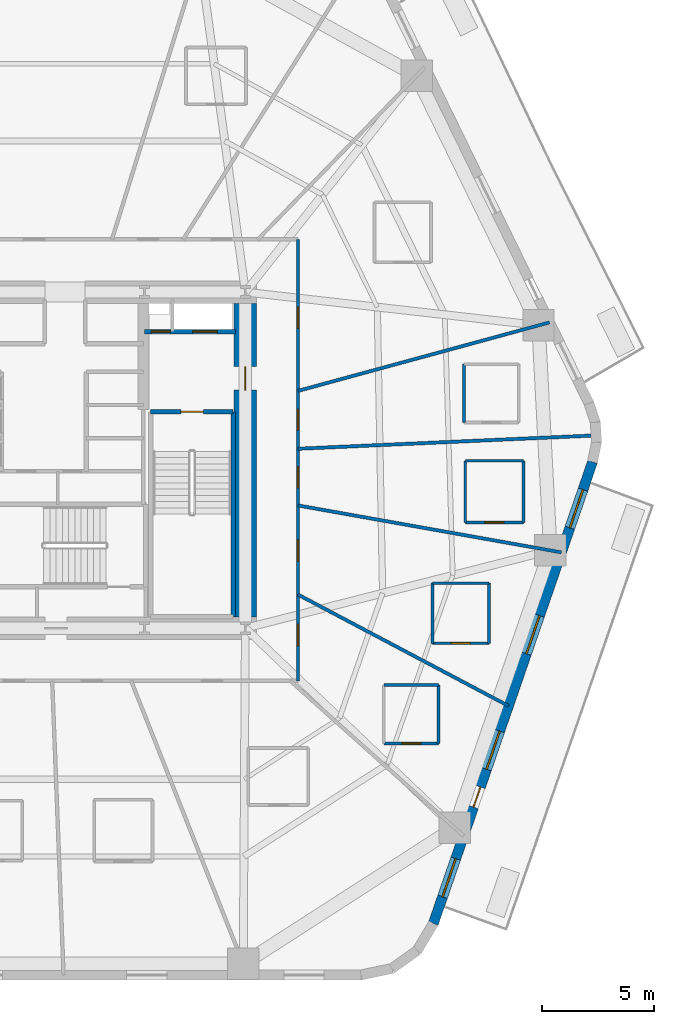
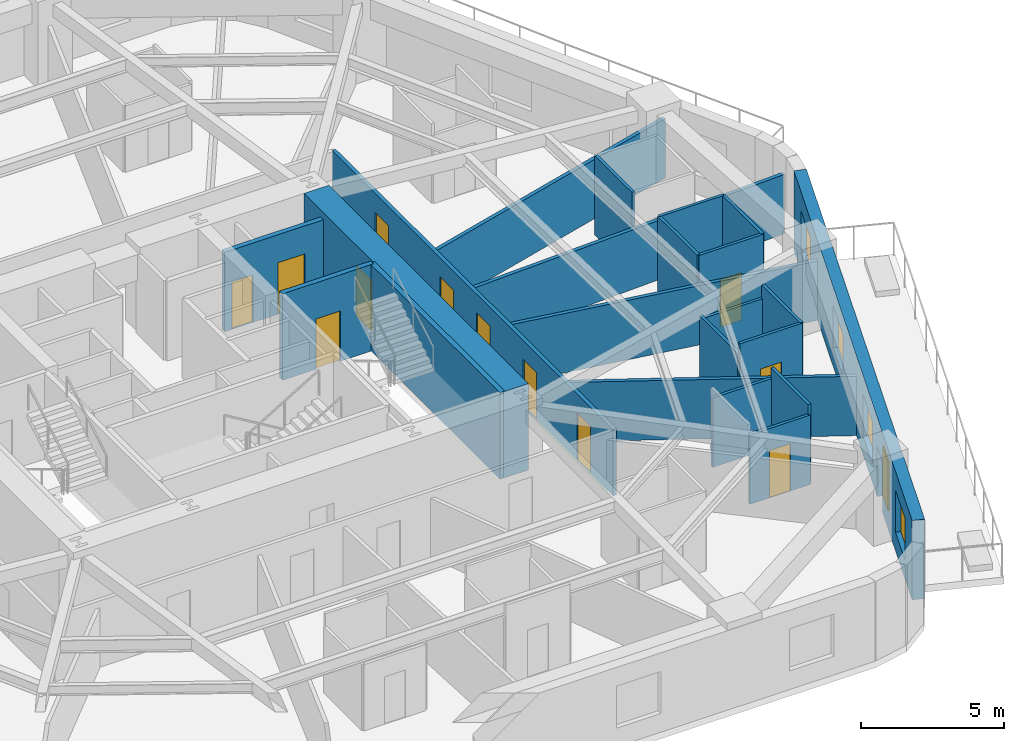
# One storey, part 5 of 10: 22 walls, 13 doors, 4 windows, 17 openings.
"""IFC4 building model written with IfcOpenShell, lengths in metres."""

from ifc_helpers import new_model, si_unit, direction, frame, frame_2d, origin, place, context, subcontext, project, spatial, rectangle, extrude, material, layer, layer_set, type_object, element, fill, save


model = new_model("IFC4")

# Units and contexts
model_context = context("Model", 3, precision=1e-05, world=origin(), true_north=direction((0.0, 1.0)))
body_context = subcontext(model_context, "Body", "Model", "MODEL_VIEW")
ifc_project = project(units=[si_unit("LENGTHUNIT", "METRE"), si_unit("AREAUNIT", "SQUARE_METRE"), si_unit("VOLUMEUNIT", "CUBIC_METRE"), si_unit("PLANEANGLEUNIT", "RADIAN"), si_unit("MASSUNIT", "GRAM", prefix="KILO")], contexts=[model_context])

# Site, building, storey
site_placement = place(None, origin())
site = spatial("IfcSite", under=ifc_project, at=site_placement, CompositionType="ELEMENT")
building_placement = place(site_placement, origin())
building = spatial("IfcBuilding", under=site, at=building_placement, Name="Kilnhurst Terrace Hotel", CompositionType="ELEMENT")
storey_placement = place(building_placement, frame((0.0, 0.0, 49.0)))
storey = spatial("IfcBuildingStorey", under=building, at=storey_placement, Name="L10", CompositionType="ELEMENT", Elevation=49.0)

# Wall, openings, door, windows
ifc_material_1 = material(Name="Precast concrete C40/50", Category="concrete")
ifc_layer_1 = layer(ifc_material_1, 0.449951171875, Name="Precast concrete C40/50")
ifc_layer_set_1 = layer_set([ifc_layer_1], Name="Precast concrete C40/50")
wall_type_1 = type_object("IfcWallType", Name="WL-BRK-450", PredefinedType="SOLIDWALL", material=ifc_layer_set_1)
wall_1_placement = place(storey_placement, frame((17.3896484375, -20.678466796875, 0.0), z_axis=(0.0, 0.0, 1.0), x_axis=(0.326068018294, 0.945346310854, 0.0)))
wall_1 = element("IfcWall", 1, at=wall_1_placement, inside=storey, type_object=wall_type_1, Name="L10 Exterior Brick Facade Wall F2", PredefinedType="SOLIDWALL", context=body_context, shape_type="SweptSolid", body=[
    extrude(rectangle(XDim=21.79296875, YDim=0.449951171875, at=frame_2d((10.896484375, 0.0))), origin(), (0.0, 0.0, 1.0), 3.39990234375),
])
opening_1_placement = place(wall_1_placement, frame((5.492919921875, 0.0, 0.0)))
opening_1 = element("IfcOpeningElement", 2, at=opening_1_placement, cuts=wall_1, Name="Opening BD-950", PredefinedType="OPENING", context=body_context, shape_type="SweptSolid", body=[
    extrude(rectangle(XDim=0.949951171875, YDim=2.14990234375, at=frame_2d((0.47509765625, 1.074951171875))), frame((0.0, 0.23486328125, 0.0), z_axis=(0.0, -1.0, 0.0), x_axis=(1.0, 0.0, 0.0)), (0.0, 0.0, 1.0), 0.469970703125),
])
opening_2_placement = place(wall_1_placement, frame((1.260009765625, 0.0, 0.800048828125)))
opening_2 = element("IfcOpeningElement", 3, at=opening_2_placement, cuts=wall_1, Name="Opening W-01", PredefinedType="OPENING", context=body_context, shape_type="SweptSolid", body=[
    extrude(rectangle(XDim=1.800048828125, YDim=1.800048828125, at=frame_2d((0.89990234375, 0.89990234375))), frame((0.0, 0.23486328125, 0.0), z_axis=(0.0, -1.0, 0.0), x_axis=(1.0, 0.0, 0.0)), (0.0, 0.0, 1.0), 0.469970703125),
])
opening_3_placement = place(wall_1_placement, frame((7.282958984375, 0.0, 0.800048828125)))
opening_3 = element("IfcOpeningElement", 4, at=opening_3_placement, cuts=wall_1, Name="Opening W-01", PredefinedType="OPENING", context=body_context, shape_type="SweptSolid", body=[
    extrude(rectangle(XDim=1.800048828125, YDim=1.800048828125, at=frame_2d((0.89990234375, 0.89990234375))), frame((0.0, 0.23486328125, 0.0), z_axis=(0.0, -1.0, 0.0), x_axis=(1.0, 0.0, 0.0)), (0.0, 0.0, 1.0), 0.469970703125),
])
opening_4_placement = place(wall_1_placement, frame((12.736083984375, 0.0, 0.800048828125)))
opening_4 = element("IfcOpeningElement", 5, at=opening_4_placement, cuts=wall_1, Name="Opening W-01", PredefinedType="OPENING", context=body_context, shape_type="SweptSolid", body=[
    extrude(rectangle(XDim=1.800048828125, YDim=1.800048828125, at=frame_2d((0.89990234375, 0.89990234375))), frame((0.0, 0.23486328125, 0.0), z_axis=(0.0, -1.0, 0.0), x_axis=(1.0, 0.0, 0.0)), (0.0, 0.0, 1.0), 0.469970703125),
])
opening_5_placement = place(wall_1_placement, frame((18.679931640625, 0.0, 0.800048828125)))
opening_5 = element("IfcOpeningElement", 6, at=opening_5_placement, cuts=wall_1, Name="Opening W-01", PredefinedType="OPENING", context=body_context, shape_type="SweptSolid", body=[
    extrude(rectangle(XDim=1.800048828125, YDim=1.800048828125, at=frame_2d((0.89990234375, 0.89990234375))), frame((0.0, 0.23486328125, 0.0), z_axis=(0.0, -1.0, 0.0), x_axis=(1.0, 0.0, 0.0)), (0.0, 0.0, 1.0), 0.469970703125),
])
ifc_material_2 = material(Name="Thermally Broken Bronze Aluminium Alloy 6063-T6 and Laminated Glass", Category="aluminium")
door_type_1 = type_object("IfcDoorType", Name="DR-EXT-BAL-950", OperationType="NOTDEFINED", PredefinedType="DOOR", material=ifc_material_2)
door_1_placement = place(opening_1_placement, origin())
door_1 = element("IfcDoor", 7, at=door_1_placement, inside=storey, type_object=door_type_1, Name="L10 Planted Balcony Door BAL-L1A", OperationType="SINGLE_SWING_RIGHT", OverallHeight=2.14990234375, OverallWidth=0.949951171875, PredefinedType="DOOR", context=body_context, shape_type="SweptSolid", body=[
    extrude(rectangle(XDim=0.949951171875, YDim=2.14990234375, at=frame_2d((0.47509765625, 1.074951171875))), frame((0.0, 0.02490234375, 0.0), z_axis=(0.0, -1.0, 0.0), x_axis=(1.0, 0.0, 0.0)), (0.0, 0.0, 1.0), 0.050048828125),
])
fill(opening_1, door_1)
ifc_material_3 = material(Name="Thermally Broken Bronze Aluminium Alloy 6063-T6 and Low-E Glass", Category="aluminium")
window_type = type_object("IfcWindowType", Name="WIN-1800X1800", PartitioningType="SINGLE_PANEL", PredefinedType="WINDOW", material=ifc_material_3)
window_1_placement = place(opening_2_placement, origin())
window_1 = element("IfcWindow", 8, at=window_1_placement, inside=storey, type_object=window_type, Name="L10 Deep-Set Masonry Window F2.1", OverallHeight=1.800048828125, OverallWidth=1.800048828125, PartitioningType="SINGLE_PANEL", PredefinedType="WINDOW", context=body_context, shape_type="SweptSolid", body=[
    extrude(rectangle(XDim=1.800048828125, YDim=1.800048828125, at=frame_2d((0.89990234375, 0.89990234375))), frame((0.0, 0.030029296875, 0.0), z_axis=(0.0, -1.0, 0.0), x_axis=(1.0, 0.0, 0.0)), (0.0, 0.0, 1.0), 0.06005859375),
])
fill(opening_2, window_1)
window_2_placement = place(opening_3_placement, origin())
window_2 = element("IfcWindow", 9, at=window_2_placement, inside=storey, type_object=window_type, Name="L10 Deep-Set Masonry Window F2.2", OverallHeight=1.800048828125, OverallWidth=1.800048828125, PartitioningType="SINGLE_PANEL", PredefinedType="WINDOW", context=body_context, shape_type="SweptSolid", body=[
    extrude(rectangle(XDim=1.800048828125, YDim=1.800048828125, at=frame_2d((0.89990234375, 0.89990234375))), frame((0.0, 0.030029296875, 0.0), z_axis=(0.0, -1.0, 0.0), x_axis=(1.0, 0.0, 0.0)), (0.0, 0.0, 1.0), 0.06005859375),
])
fill(opening_3, window_2)
window_3_placement = place(opening_4_placement, origin())
window_3 = element("IfcWindow", 10, at=window_3_placement, inside=storey, type_object=window_type, Name="L10 Deep-Set Masonry Window F2.3", OverallHeight=1.800048828125, OverallWidth=1.800048828125, PartitioningType="SINGLE_PANEL", PredefinedType="WINDOW", context=body_context, shape_type="SweptSolid", body=[
    extrude(rectangle(XDim=1.800048828125, YDim=1.800048828125, at=frame_2d((0.89990234375, 0.89990234375))), frame((0.0, 0.030029296875, 0.0), z_axis=(0.0, -1.0, 0.0), x_axis=(1.0, 0.0, 0.0)), (0.0, 0.0, 1.0), 0.06005859375),
])
fill(opening_4, window_3)
window_4_placement = place(opening_5_placement, origin())
window_4 = element("IfcWindow", 11, at=window_4_placement, inside=storey, type_object=window_type, Name="L10 Deep-Set Masonry Window F2.4", OverallHeight=1.800048828125, OverallWidth=1.800048828125, PartitioningType="SINGLE_PANEL", PredefinedType="WINDOW", context=body_context, shape_type="SweptSolid", body=[
    extrude(rectangle(XDim=1.800048828125, YDim=1.800048828125, at=frame_2d((0.89990234375, 0.89990234375))), frame((0.0, 0.030029296875, 0.0), z_axis=(0.0, -1.0, 0.0), x_axis=(1.0, 0.0, 0.0)), (0.0, 0.0, 1.0), 0.06005859375),
])
fill(opening_5, window_4)

# Wall, openings, doors
ifc_material_4 = material(Name="Acoustic Double-Gypsum Corridor Partition Assembly")
ifc_layer_2 = layer(ifc_material_4, 0.14990234375, Name="Acoustic Double-Gypsum Corridor Partition Assembly")
ifc_layer_set_2 = layer_set([ifc_layer_2], Name="Acoustic Double-Gypsum Corridor Partition Assembly")
wall_type_2 = type_object("IfcWallType", Name="WL-COR-150", PredefinedType="PARTITIONING", material=ifc_layer_set_2)
wall_2_placement = place(storey_placement, frame((11.35009765625, 9.85009765625, 0.0), z_axis=(0.0, 0.0, 1.0), x_axis=(0.0, -1.0, 0.0)))
wall_2 = element("IfcWall", 12, at=wall_2_placement, inside=storey, type_object=wall_type_2, Name="L10 Interior Wall WL-L10-COR-03", PredefinedType="PARTITIONING", context=body_context, shape_type="SweptSolid", body=[
    extrude(rectangle(XDim=19.7001953125, YDim=0.14990234375, at=frame_2d((9.85009765625, 0.0))), origin(), (0.0, 0.0, 1.0), 2.840087890625),
])
opening_6_placement = place(wall_2_placement, frame((7.571044921875, 0.0, 0.0)))
opening_6 = element("IfcOpeningElement", 13, at=opening_6_placement, cuts=wall_2, Name="Opening D-60B", PredefinedType="OPENING", context=body_context, shape_type="SweptSolid", body=[
    extrude(rectangle(XDim=0.949951171875, YDim=2.030029296875, at=frame_2d((0.47509765625, 1.01513671875))), frame((0.0, 0.0849609375, 0.0), z_axis=(0.0, -1.0, 0.0), x_axis=(1.0, 0.0, 0.0)), (0.0, 0.0, 1.0), 0.169921875),
])
opening_7_placement = place(wall_2_placement, frame((3.02392578125, 0.0, 0.0)))
opening_7 = element("IfcOpeningElement", 14, at=opening_7_placement, cuts=wall_2, Name="Opening D-60B", PredefinedType="OPENING", context=body_context, shape_type="SweptSolid", body=[
    extrude(rectangle(XDim=0.949951171875, YDim=2.030029296875, at=frame_2d((0.47509765625, 1.01513671875))), frame((0.0, 0.0849609375, 0.0), z_axis=(0.0, -1.0, 0.0), x_axis=(1.0, 0.0, 0.0)), (0.0, 0.0, 1.0), 0.169921875),
])
opening_8_placement = place(wall_2_placement, frame((17.180908203125, 0.0, 0.0)))
opening_8 = element("IfcOpeningElement", 15, at=opening_8_placement, cuts=wall_2, Name="Opening D-60B", PredefinedType="OPENING", context=body_context, shape_type="SweptSolid", body=[
    extrude(rectangle(XDim=0.949951171875, YDim=2.030029296875, at=frame_2d((0.47509765625, 1.01513671875))), frame((0.0, 0.0849609375, 0.0), z_axis=(0.0, -1.0, 0.0), x_axis=(1.0, 0.0, 0.0)), (0.0, 0.0, 1.0), 0.169921875),
])
opening_9_placement = place(wall_2_placement, frame((13.403076171875, 0.0, 0.0)))
opening_9 = element("IfcOpeningElement", 16, at=opening_9_placement, cuts=wall_2, Name="Opening D-60B", PredefinedType="OPENING", context=body_context, shape_type="SweptSolid", body=[
    extrude(rectangle(XDim=0.949951171875, YDim=2.030029296875, at=frame_2d((0.47509765625, 1.01513671875))), frame((0.0, 0.0849609375, 0.0), z_axis=(0.0, -1.0, 0.0), x_axis=(1.0, 0.0, 0.0)), (0.0, 0.0, 1.0), 0.169921875),
])
opening_10_placement = place(wall_2_placement, frame((10.134033203125, 0.0, 0.0)))
opening_10 = element("IfcOpeningElement", 17, at=opening_10_placement, cuts=wall_2, Name="Opening D-60B", PredefinedType="OPENING", context=body_context, shape_type="SweptSolid", body=[
    extrude(rectangle(XDim=0.949951171875, YDim=2.030029296875, at=frame_2d((0.47509765625, 1.01513671875))), frame((0.0, 0.0849609375, 0.0), z_axis=(0.0, -1.0, 0.0), x_axis=(1.0, 0.0, 0.0)), (0.0, 0.0, 1.0), 0.169921875),
])
ifc_material_5 = material(Name="Acoustic Walnut Veneer Solid-Core Fire Door")
door_type_2 = type_object("IfcDoorType", Name="DR-FD60-950", OperationType="NOTDEFINED", PredefinedType="DOOR", material=ifc_material_5)
door_2_placement = place(opening_6_placement, origin())
door_2 = element("IfcDoor", 18, at=door_2_placement, inside=storey, type_object=door_type_2, Name="L10 Guest Room Entry Door 1", OperationType="SINGLE_SWING_LEFT", OverallHeight=2.030029296875, OverallWidth=0.949951171875, PredefinedType="DOOR", context=body_context, shape_type="SweptSolid", body=[
    extrude(rectangle(XDim=0.949951171875, YDim=2.030029296875, at=frame_2d((0.47509765625, 1.01513671875))), frame((0.0, 0.02490234375, 0.0), z_axis=(0.0, -1.0, 0.0), x_axis=(1.0, 0.0, 0.0)), (0.0, 0.0, 1.0), 0.050048828125),
])
fill(opening_6, door_2)
door_3_placement = place(opening_7_placement, origin())
door_3 = element("IfcDoor", 19, at=door_3_placement, inside=storey, type_object=door_type_2, Name="L10 Executive Suite Entry Door 2", OperationType="SINGLE_SWING_RIGHT", OverallHeight=2.030029296875, OverallWidth=0.949951171875, PredefinedType="DOOR", context=body_context, shape_type="SweptSolid", body=[
    extrude(rectangle(XDim=0.949951171875, YDim=2.030029296875, at=frame_2d((0.47509765625, 1.01513671875))), frame((0.0, 0.02490234375, 0.0), z_axis=(0.0, -1.0, 0.0), x_axis=(1.0, 0.0, 0.0)), (0.0, 0.0, 1.0), 0.050048828125),
])
fill(opening_7, door_3)
door_4_placement = place(opening_8_placement, origin())
door_4 = element("IfcDoor", 20, at=door_4_placement, inside=storey, type_object=door_type_2, Name="L10 Guest Room Entry Door 17", OperationType="SINGLE_SWING_LEFT", OverallHeight=2.030029296875, OverallWidth=0.949951171875, PredefinedType="DOOR", context=body_context, shape_type="SweptSolid", body=[
    extrude(rectangle(XDim=0.949951171875, YDim=2.030029296875, at=frame_2d((0.47509765625, 1.01513671875))), frame((0.0, 0.02490234375, 0.0), z_axis=(0.0, -1.0, 0.0), x_axis=(1.0, 0.0, 0.0)), (0.0, 0.0, 1.0), 0.050048828125),
])
fill(opening_8, door_4)
door_5_placement = place(opening_9_placement, origin())
door_5 = element("IfcDoor", 21, at=door_5_placement, inside=storey, type_object=door_type_2, Name="L10 Guest Room Entry Door 18", OperationType="SINGLE_SWING_RIGHT", OverallHeight=2.030029296875, OverallWidth=0.949951171875, PredefinedType="DOOR", context=body_context, shape_type="SweptSolid", body=[
    extrude(rectangle(XDim=0.949951171875, YDim=2.030029296875, at=frame_2d((0.47509765625, 1.01513671875))), frame((0.0, 0.02490234375, 0.0), z_axis=(0.0, -1.0, 0.0), x_axis=(1.0, 0.0, 0.0)), (0.0, 0.0, 1.0), 0.050048828125),
])
fill(opening_9, door_5)
door_6_placement = place(opening_10_placement, origin())
door_6 = element("IfcDoor", 22, at=door_6_placement, inside=storey, type_object=door_type_2, Name="L10 Guest Room Entry Door 19", OperationType="SINGLE_SWING_LEFT", OverallHeight=2.030029296875, OverallWidth=0.949951171875, PredefinedType="DOOR", context=body_context, shape_type="SweptSolid", body=[
    extrude(rectangle(XDim=0.949951171875, YDim=2.030029296875, at=frame_2d((0.47509765625, 1.01513671875))), frame((0.0, 0.02490234375, 0.0), z_axis=(0.0, -1.0, 0.0), x_axis=(1.0, 0.0, 0.0)), (0.0, 0.0, 1.0), 0.050048828125),
])
fill(opening_10, door_6)

# Wall, opening, door
ifc_material_6 = material(Name="Concrete C80/95", Category="concrete")
ifc_layer_3 = layer(ifc_material_6, 1.0, Name="Concrete C80/95")
ifc_layer_set_3 = layer_set([ifc_layer_3], Name="Concrete C80/95")
wall_type_3 = type_object("IfcWallType", Name="WL-CORE-1000", PredefinedType="SHEAR", material=ifc_layer_set_3)
wall_3_placement = place(storey_placement, frame((9.0, -7.0, 0.0), z_axis=(0.0, 0.0, 1.0), x_axis=(0.0, 1.0, 0.0)))
wall_3 = element("IfcWall", 23, at=wall_3_placement, inside=storey, type_object=wall_type_3, Name="L10 Core East Shear Wall", PredefinedType="SHEAR", context=body_context, shape_type="SweptSolid", body=[
    extrude(rectangle(XDim=14.0, YDim=1.0, at=frame_2d((7.0, 0.0))), origin(), (0.0, 0.0, 1.0), 3.699951171875),
])
opening_11_placement = place(wall_3_placement, frame((10.125, 0.0, 0.0)))
opening_11 = element("IfcOpeningElement", 24, at=opening_11_placement, cuts=wall_3, Name="Opening D-90A", PredefinedType="OPENING", context=body_context, shape_type="SweptSolid", body=[
    extrude(rectangle(XDim=1.050048828125, YDim=2.14990234375, at=frame_2d((0.52490234375, 1.074951171875))), frame((0.0, 0.510009765625, 0.0), z_axis=(0.0, -1.0, 0.0), x_axis=(1.0, 0.0, 0.0)), (0.0, 0.0, 1.0), 1.02001953125),
])
ifc_material_7 = material(Name="Painted Hollow Metal Steel ASTM A36 Fire Door", Category="steel")
door_type_3 = type_object("IfcDoorType", Name="DR-FD90-1050", OperationType="NOTDEFINED", PredefinedType="DOOR", material=ifc_material_7)
door_7_placement = place(opening_11_placement, origin())
door_7 = element("IfcDoor", 25, at=door_7_placement, inside=storey, type_object=door_type_3, Name="L10 East Firefighting Lobby Door", OperationType="SINGLE_SWING_LEFT", OverallHeight=2.14990234375, OverallWidth=1.050048828125, PredefinedType="DOOR", context=body_context, shape_type="SweptSolid", body=[
    extrude(rectangle(XDim=1.050048828125, YDim=2.14990234375, at=frame_2d((0.52490234375, 1.074951171875))), frame((0.0, 0.02490234375, 0.0), z_axis=(0.0, -1.0, 0.0), x_axis=(1.0, 0.0, 0.0)), (0.0, 0.0, 1.0), 0.050048828125),
])
fill(opening_11, door_7)

# Walls
ifc_material_8 = material(Name="STC-58 Acoustic Twin-Frame Guestroom Demising Partition")
ifc_layer_4 = layer(ifc_material_8, 0.14990234375, Name="STC-58 Acoustic Twin-Frame Guestroom Demising Partition")
ifc_layer_set_4 = layer_set([ifc_layer_4], Name="STC-58 Acoustic Twin-Frame Guestroom Demising Partition")
wall_type_4 = type_object("IfcWallType", Name="WL-DEM-150", PredefinedType="PARTITIONING", material=ifc_layer_set_4)
wall_4_placement = place(storey_placement, frame((11.35009765625, 0.50830078125, 0.0), z_axis=(0.0, 0.0, 1.0), x_axis=(0.998998237556, 0.044749540337, 0.0)))
element("IfcWall", 26, at=wall_4_placement, inside=storey, type_object=wall_type_4, Name="L10 Interior Wall WL-L10-DEM-MID12-01-1", PredefinedType="PARTITIONING", context=body_context, shape_type="SweptSolid", body=[
    extrude(rectangle(XDim=13.1591796875, YDim=0.14990234375, at=frame_2d((6.57958984375, 0.0))), origin(), (0.0, 0.0, 1.0), 2.5400390625),
])
wall_5_placement = place(storey_placement, frame((11.35009765625, 3.0908203125, 0.0), z_axis=(0.0, 0.0, 1.0), x_axis=(0.964859685283, 0.262765651704, 0.0)))
element("IfcWall", 27, at=wall_5_placement, inside=storey, type_object=wall_type_4, Name="L10 Interior Wall WL-L10-DEM-COL01-02-1", PredefinedType="PARTITIONING", context=body_context, shape_type="SweptSolid", body=[
    extrude(rectangle(XDim=11.62890625, YDim=0.14990234375, at=frame_2d((5.814453125, 0.0))), origin(), (0.0, 0.0, 1.0), 2.5400390625),
])
wall_6_placement = place(storey_placement, frame((11.35009765625, -6.00146484375, 0.0), z_axis=(0.0, 0.0, 1.0), x_axis=(0.884022077319, -0.467445148453, 0.0)))
element("IfcWall", 28, at=wall_6_placement, inside=storey, type_object=wall_type_4, Name="L10 Interior Wall WL-L10-DEM-MID11-18-1", PredefinedType="PARTITIONING", context=body_context, shape_type="SweptSolid", body=[
    extrude(rectangle(XDim=10.621337890625, YDim=0.14990234375, at=frame_2d((5.310546875, 0.0))), origin(), (0.0, 0.0, 1.0), 2.5400390625),
])
wall_7_placement = place(storey_placement, frame((11.35009765625, -2.022705078125, 0.0), z_axis=(0.0, 0.0, 1.0), x_axis=(0.984493741877, -0.17541970301, 0.0)))
element("IfcWall", 29, at=wall_7_placement, inside=storey, type_object=wall_type_4, Name="L10 Interior Wall WL-L10-DEM-COL12-19-1", PredefinedType="PARTITIONING", context=body_context, shape_type="SweptSolid", body=[
    extrude(rectangle(XDim=11.93701171875, YDim=0.14990234375, at=frame_2d((5.968505859375, 0.0))), origin(), (0.0, 0.0, 1.0), 2.5400390625),
])
ifc_material_9 = material(Name="120 mm Moisture-Resistant Tile-Backed Bathroom Partition")
ifc_layer_5 = layer(ifc_material_9, 0.1201171875, Name="120 mm Moisture-Resistant Tile-Backed Bathroom Partition")
ifc_layer_set_5 = layer_set([ifc_layer_5], Name="120 mm Moisture-Resistant Tile-Backed Bathroom Partition")
wall_type_5 = type_object("IfcWallType", Name="WL-PART-120", PredefinedType="PARTITIONING", material=ifc_layer_set_5)
wall_8_placement = place(storey_placement, frame((18.760009765625, 4.285888671875, 0.0), z_axis=(0.0, 0.0, 1.0), x_axis=(0.0, -1.0, 0.0)))
element("IfcWall", 30, at=wall_8_placement, inside=storey, type_object=wall_type_5, Name="L10 Interior Wall WL-L10-BTH-01-4", PredefinedType="PARTITIONING", context=body_context, shape_type="SweptSolid", body=[
    extrude(rectangle(XDim=2.60986328125, YDim=0.1201171875, at=frame_2d((1.304931640625, 0.0))), origin(), (0.0, 0.0, 1.0), 3.39990234375),
])

# Wall, opening, door
wall_9_placement = place(storey_placement, frame((15.177978515625, -12.64697265625, 0.0), z_axis=(0.0, 0.0, 1.0), x_axis=(1.0, 0.0, 0.0)))
wall_9 = element("IfcWall", 31, at=wall_9_placement, inside=storey, type_object=wall_type_5, Name="L10 Interior Wall WL-L10-BTH-17-1", PredefinedType="PARTITIONING", context=body_context, shape_type="SweptSolid", body=[
    extrude(rectangle(XDim=2.43994140625, YDim=0.1201171875, at=frame_2d((1.219970703125, 0.0))), origin(), (0.0, 0.0, 1.0), 2.972412109375),
])
opening_12_placement = place(wall_9_placement, frame((0.794921875, 0.0, 0.0)))
opening_12 = element("IfcOpeningElement", 32, at=opening_12_placement, cuts=wall_9, Name="Opening D-08A", PredefinedType="OPENING", context=body_context, shape_type="SweptSolid", body=[
    extrude(rectangle(XDim=0.85009765625, YDim=2.030029296875, at=frame_2d((0.425048828125, 1.01513671875))), frame((0.0, 0.070068359375, 0.0), z_axis=(0.0, -1.0, 0.0), x_axis=(1.0, 0.0, 0.0)), (0.0, 0.0, 1.0), 0.14013671875),
])
ifc_material_10 = material(Name="Moisture-Resistant Lacquered En-suite Bathroom Door")
door_type_4 = type_object("IfcDoorType", Name="DR-INT-850", OperationType="NOTDEFINED", PredefinedType="DOOR", material=ifc_material_10)
door_8_placement = place(opening_12_placement, origin())
door_8 = element("IfcDoor", 33, at=door_8_placement, inside=storey, type_object=door_type_4, Name="L10 En-suite Bathroom Door 17", OperationType="SINGLE_SWING_RIGHT", OverallHeight=2.030029296875, OverallWidth=0.85009765625, PredefinedType="DOOR", context=body_context, shape_type="SweptSolid", body=[
    extrude(rectangle(XDim=0.85009765625, YDim=2.030029296875, at=frame_2d((0.425048828125, 1.01513671875))), frame((0.0, 0.02490234375, 0.0), z_axis=(0.0, -1.0, 0.0), x_axis=(1.0, 0.0, 0.0)), (0.0, 0.0, 1.0), 0.050048828125),
])
fill(opening_12, door_8)

# Walls
wall_10_placement = place(storey_placement, frame((17.617919921875, -12.64697265625, 0.0), z_axis=(0.0, 0.0, 1.0), x_axis=(0.0, 1.0, 0.0)))
element("IfcWall", 34, at=wall_10_placement, inside=storey, type_object=wall_type_5, Name="L10 Interior Wall WL-L10-BTH-17-2", PredefinedType="PARTITIONING", context=body_context, shape_type="SweptSolid", body=[
    extrude(rectangle(XDim=2.60986328125, YDim=0.1201171875, at=frame_2d((1.304931640625, 0.0))), origin(), (0.0, 0.0, 1.0), 3.39990234375),
])
wall_11_placement = place(storey_placement, frame((17.617919921875, -10.037109375, 0.0), z_axis=(0.0, 0.0, 1.0), x_axis=(-1.0, 0.0, 0.0)))
element("IfcWall", 35, at=wall_11_placement, inside=storey, type_object=wall_type_5, Name="L10 Interior Wall WL-L10-BTH-17-3", PredefinedType="PARTITIONING", context=body_context, shape_type="SweptSolid", body=[
    extrude(rectangle(XDim=2.43994140625, YDim=0.1201171875, at=frame_2d((1.219970703125, 0.0))), origin(), (0.0, 0.0, 1.0), 2.972412109375),
])

# Wall, opening, door
wall_12_placement = place(storey_placement, frame((17.35400390625, -8.173095703125, 0.0), z_axis=(0.0, 0.0, 1.0), x_axis=(1.0, 0.0, 0.0)))
wall_12 = element("IfcWall", 36, at=wall_12_placement, inside=storey, type_object=wall_type_5, Name="L10 Interior Wall WL-L10-BTH-18-1", PredefinedType="PARTITIONING", context=body_context, shape_type="SweptSolid", body=[
    extrude(rectangle(XDim=2.52001953125, YDim=0.1201171875, at=frame_2d((1.260009765625, 0.0))), origin(), (0.0, 0.0, 1.0), 3.39990234375),
])
opening_13_placement = place(wall_12_placement, frame((0.8349609375, 0.0, 0.0)))
opening_13 = element("IfcOpeningElement", 37, at=opening_13_placement, cuts=wall_12, Name="Opening D-08A", PredefinedType="OPENING", context=body_context, shape_type="SweptSolid", body=[
    extrude(rectangle(XDim=0.85009765625, YDim=2.030029296875, at=frame_2d((0.425048828125, 1.01513671875))), frame((0.0, 0.070068359375, 0.0), z_axis=(0.0, -1.0, 0.0), x_axis=(1.0, 0.0, 0.0)), (0.0, 0.0, 1.0), 0.14013671875),
])
door_9_placement = place(opening_13_placement, origin())
door_9 = element("IfcDoor", 38, at=door_9_placement, inside=storey, type_object=door_type_4, Name="L10 En-suite Bathroom Door 18", OperationType="SINGLE_SWING_LEFT", OverallHeight=2.030029296875, OverallWidth=0.85009765625, PredefinedType="DOOR", context=body_context, shape_type="SweptSolid", body=[
    extrude(rectangle(XDim=0.85009765625, YDim=2.030029296875, at=frame_2d((0.425048828125, 1.01513671875))), frame((0.0, 0.02490234375, 0.0), z_axis=(0.0, -1.0, 0.0), x_axis=(1.0, 0.0, 0.0)), (0.0, 0.0, 1.0), 0.050048828125),
])
fill(opening_13, door_9)

# Walls
wall_13_placement = place(storey_placement, frame((19.8740234375, -8.173095703125, 0.0), z_axis=(0.0, 0.0, 1.0), x_axis=(0.0, 1.0, 0.0)))
element("IfcWall", 39, at=wall_13_placement, inside=storey, type_object=wall_type_5, Name="L10 Interior Wall WL-L10-BTH-18-2", PredefinedType="PARTITIONING", context=body_context, shape_type="SweptSolid", body=[
    extrude(rectangle(XDim=2.68017578125, YDim=0.1201171875, at=frame_2d((1.340087890625, 0.0))), origin(), (0.0, 0.0, 1.0), 3.39990234375),
])
wall_14_placement = place(storey_placement, frame((19.8740234375, -5.492919921875, 0.0), z_axis=(0.0, 0.0, 1.0), x_axis=(-1.0, 0.0, 0.0)))
element("IfcWall", 40, at=wall_14_placement, inside=storey, type_object=wall_type_5, Name="L10 Interior Wall WL-L10-BTH-18-3", PredefinedType="PARTITIONING", context=body_context, shape_type="SweptSolid", body=[
    extrude(rectangle(XDim=2.52001953125, YDim=0.1201171875, at=frame_2d((1.260009765625, 0.0))), origin(), (0.0, 0.0, 1.0), 2.840087890625),
])
wall_15_placement = place(storey_placement, frame((17.35400390625, -5.492919921875, 0.0), z_axis=(0.0, 0.0, 1.0), x_axis=(0.0, -1.0, 0.0)))
element("IfcWall", 41, at=wall_15_placement, inside=storey, type_object=wall_type_5, Name="L10 Interior Wall WL-L10-BTH-18-4", PredefinedType="PARTITIONING", context=body_context, shape_type="SweptSolid", body=[
    extrude(rectangle(XDim=2.68017578125, YDim=0.1201171875, at=frame_2d((1.340087890625, 0.0))), origin(), (0.0, 0.0, 1.0), 2.972412109375),
])

# Wall, opening, door
wall_16_placement = place(storey_placement, frame((18.81396484375, -2.781982421875, 0.0), z_axis=(0.0, 0.0, 1.0), x_axis=(1.0, 0.0, 0.0)))
wall_16 = element("IfcWall", 42, at=wall_16_placement, inside=storey, type_object=wall_type_5, Name="L10 Interior Wall WL-L10-BTH-19-1", PredefinedType="PARTITIONING", context=body_context, shape_type="SweptSolid", body=[
    extrude(rectangle(XDim=2.60009765625, YDim=0.1201171875, at=frame_2d((1.300048828125, 0.0))), origin(), (0.0, 0.0, 1.0), 3.39990234375),
])
opening_14_placement = place(wall_16_placement, frame((0.875, 0.0, 0.0)))
opening_14 = element("IfcOpeningElement", 43, at=opening_14_placement, cuts=wall_16, Name="Opening D-08A", PredefinedType="OPENING", context=body_context, shape_type="SweptSolid", body=[
    extrude(rectangle(XDim=0.85009765625, YDim=2.030029296875, at=frame_2d((0.425048828125, 1.01513671875))), frame((0.0, 0.070068359375, 0.0), z_axis=(0.0, -1.0, 0.0), x_axis=(1.0, 0.0, 0.0)), (0.0, 0.0, 1.0), 0.14013671875),
])
door_10_placement = place(opening_14_placement, origin())
door_10 = element("IfcDoor", 44, at=door_10_placement, inside=storey, type_object=door_type_4, Name="L10 En-suite Bathroom Door 19", OperationType="SINGLE_SWING_RIGHT", OverallHeight=2.030029296875, OverallWidth=0.85009765625, PredefinedType="DOOR", context=body_context, shape_type="SweptSolid", body=[
    extrude(rectangle(XDim=0.85009765625, YDim=2.030029296875, at=frame_2d((0.425048828125, 1.01513671875))), frame((0.0, 0.02490234375, 0.0), z_axis=(0.0, -1.0, 0.0), x_axis=(1.0, 0.0, 0.0)), (0.0, 0.0, 1.0), 0.050048828125),
])
fill(opening_14, door_10)

# Walls
wall_17_placement = place(storey_placement, frame((21.4140625, -2.781982421875, 0.0), z_axis=(0.0, 0.0, 1.0), x_axis=(0.0, 1.0, 0.0)))
element("IfcWall", 45, at=wall_17_placement, inside=storey, type_object=wall_type_5, Name="L10 Interior Wall WL-L10-BTH-19-2", PredefinedType="PARTITIONING", context=body_context, shape_type="SweptSolid", body=[
    extrude(rectangle(XDim=2.75, YDim=0.1201171875, at=frame_2d((1.375, 0.0))), origin(), (0.0, 0.0, 1.0), 3.39990234375),
])
wall_18_placement = place(storey_placement, frame((21.4140625, -0.031982421875, 0.0), z_axis=(0.0, 0.0, 1.0), x_axis=(-1.0, 0.0, 0.0)))
element("IfcWall", 46, at=wall_18_placement, inside=storey, type_object=wall_type_5, Name="L10 Interior Wall WL-L10-BTH-19-3", PredefinedType="PARTITIONING", context=body_context, shape_type="SweptSolid", body=[
    extrude(rectangle(XDim=2.60009765625, YDim=0.1201171875, at=frame_2d((1.300048828125, 0.0))), origin(), (0.0, 0.0, 1.0), 3.39990234375),
])
wall_19_placement = place(storey_placement, frame((18.81396484375, -0.031982421875, 0.0), z_axis=(0.0, 0.0, 1.0), x_axis=(0.0, -1.0, 0.0)))
element("IfcWall", 47, at=wall_19_placement, inside=storey, type_object=wall_type_5, Name="L10 Interior Wall WL-L10-BTH-19-4", PredefinedType="PARTITIONING", context=body_context, shape_type="SweptSolid", body=[
    extrude(rectangle(XDim=2.75, YDim=0.1201171875, at=frame_2d((1.375, 0.0))), origin(), (0.0, 0.0, 1.0), 3.39990234375),
])

# Wall, openings, doors
ifc_material_11 = material(Name="Autoclaved Aerated Concrete C30/37 and Gypsum Shaft Assembly", Category="concrete")
ifc_layer_6 = layer(ifc_material_11, 0.199951171875, Name="Autoclaved Aerated Concrete C30/37 and Gypsum Shaft Assembly")
ifc_layer_set_6 = layer_set([ifc_layer_6], Name="Autoclaved Aerated Concrete C30/37 and Gypsum Shaft Assembly")
wall_type_6 = type_object("IfcWallType", Name="WL-SHAFT-200", PredefinedType="PARTITIONING", material=ifc_layer_set_6)
wall_20_placement = place(storey_placement, frame((4.5, 5.739990234375, 0.0), z_axis=(0.0, 0.0, 1.0), x_axis=(1.0, 0.0, 0.0)))
wall_20 = element("IfcWall", 48, at=wall_20_placement, inside=storey, type_object=wall_type_6, Name="L10 Interior Wall WL-L10-FSAE2-S", PredefinedType="PARTITIONING", context=body_context, shape_type="SweptSolid", body=[
    extrude(rectangle(XDim=4.050048828125, YDim=0.199951171875, at=frame_2d((2.02490234375, 0.0))), origin(), (0.0, 0.0, 1.0), 3.39990234375),
])
opening_15_placement = place(wall_20_placement, frame((0.300048828125, 0.0, 0.0)))
opening_15 = element("IfcOpeningElement", 49, at=opening_15_placement, cuts=wall_20, Name="Opening D-60D", PredefinedType="OPENING", context=body_context, shape_type="SweptSolid", body=[
    extrude(rectangle(XDim=0.85009765625, YDim=2.030029296875, at=frame_2d((0.425048828125, 1.01513671875))), frame((0.0, 0.10986328125, 0.0), z_axis=(0.0, -1.0, 0.0), x_axis=(1.0, 0.0, 0.0)), (0.0, 0.0, 1.0), 0.219970703125),
])
opening_16_placement = place(wall_20_placement, frame((2.14990234375, 0.0, 0.0)))
opening_16 = element("IfcOpeningElement", 50, at=opening_16_placement, cuts=wall_20, Name="Opening LD-F2", PredefinedType="OPENING", context=body_context, shape_type="SweptSolid", body=[
    extrude(rectangle(XDim=1.10009765625, YDim=2.199951171875, at=frame_2d((0.550048828125, 1.10009765625))), frame((0.0, 0.10986328125, 0.0), z_axis=(0.0, -1.0, 0.0), x_axis=(1.0, 0.0, 0.0)), (0.0, 0.0, 1.0), 0.219970703125),
])
ifc_material_12 = material(Name="Painted Hollow Metal Steel ASTM A36 Riser Door", Category="steel")
door_type_5 = type_object("IfcDoorType", Name="DR-FD60-850", OperationType="NOTDEFINED", PredefinedType="DOOR", material=ifc_material_12)
door_11_placement = place(opening_15_placement, origin())
door_11 = element("IfcDoor", 51, at=door_11_placement, inside=storey, type_object=door_type_5, Name="L10 Telecom Riser Door", OperationType="SINGLE_SWING_RIGHT", OverallHeight=2.030029296875, OverallWidth=0.85009765625, PredefinedType="DOOR", context=body_context, shape_type="SweptSolid", body=[
    extrude(rectangle(XDim=0.85009765625, YDim=2.030029296875, at=frame_2d((0.425048828125, 1.01513671875))), frame((0.0, 0.02490234375, 0.0), z_axis=(0.0, -1.0, 0.0), x_axis=(1.0, 0.0, 0.0)), (0.0, 0.0, 1.0), 0.050048828125),
])
fill(opening_15, door_11)
ifc_material_13 = material(Name="Bronze-Anodized Stainless Steel AISI 316L Sliding Door", Category="steel")
door_type_6 = type_object("IfcDoorType", Name="DR-LIFT-1100", OperationType="NOTDEFINED", PredefinedType="DOOR", material=ifc_material_13)
door_12_placement = place(opening_16_placement, origin())
door_12 = element("IfcDoor", 52, at=door_12_placement, inside=storey, type_object=door_type_6, Name="L10 FSAE-2 Landing Door", OperationType="SLIDING_TO_RIGHT", OverallHeight=2.199951171875, OverallWidth=1.10009765625, PredefinedType="DOOR", context=body_context, shape_type="SweptSolid", body=[
    extrude(rectangle(XDim=1.10009765625, YDim=2.199951171875, at=frame_2d((0.550048828125, 1.10009765625))), frame((0.0, 0.02490234375, 0.0), z_axis=(0.0, -1.0, 0.0), x_axis=(1.0, 0.0, 0.0)), (0.0, 0.0, 1.0), 0.050048828125),
])
fill(opening_16, door_12)

# Wall
ifc_material_14 = material(Name="Concrete C50/60", Category="concrete")
ifc_layer_7 = layer(ifc_material_14, 0.199951171875, Name="Concrete C50/60")
ifc_layer_set_7 = layer_set([ifc_layer_7], Name="Concrete C50/60")
wall_type_7 = type_object("IfcWallType", Name="WL-STAIR-RC-200", PredefinedType="SHEAR", material=ifc_layer_set_7)
wall_21_placement = place(storey_placement, frame((8.4580078125, -6.985107421875, 0.0), z_axis=(0.0, 0.0, 1.0), x_axis=(0.0, 1.0, 0.0)))
element("IfcWall", 53, at=wall_21_placement, inside=storey, type_object=wall_type_7, Name="L10 Structural Stair Shaft Wall WL-L10-ST2-E", PredefinedType="SHEAR", context=body_context, shape_type="SweptSolid", body=[
    extrude(rectangle(XDim=9.14306640625, YDim=0.199951171875, at=frame_2d((4.571533203125, 0.0))), origin(), (0.0, 0.0, 1.0), 3.699951171875),
])

# Wall, opening, door
wall_22_placement = place(storey_placement, frame((4.77197265625, 2.157958984375, 0.0), z_axis=(0.0, 0.0, 1.0), x_axis=(1.0, 0.0, 0.0)))
wall_22 = element("IfcWall", 54, at=wall_22_placement, inside=storey, type_object=wall_type_7, Name="L10 Structural Stair Shaft Wall WL-L10-ST2-N", PredefinedType="SHEAR", context=body_context, shape_type="SweptSolid", body=[
    extrude(rectangle(XDim=3.68603515625, YDim=0.199951171875, at=frame_2d((1.843017578125, 0.0))), origin(), (0.0, 0.0, 1.0), 3.699951171875),
])
opening_17_placement = place(wall_22_placement, frame((1.35009765625, 0.0, 0.0)))
opening_17 = element("IfcOpeningElement", 55, at=opening_17_placement, cuts=wall_22, Name="Opening D-90B", PredefinedType="OPENING", context=body_context, shape_type="SweptSolid", body=[
    extrude(rectangle(XDim=1.0, YDim=2.14990234375, at=frame_2d((0.5, 1.074951171875))), frame((0.0, 0.10986328125, 0.0), z_axis=(0.0, -1.0, 0.0), x_axis=(1.0, 0.0, 0.0)), (0.0, 0.0, 1.0), 0.219970703125),
])
door_type_7 = type_object("IfcDoorType", Name="DR-FD90-1000", OperationType="NOTDEFINED", PredefinedType="DOOR", material=ifc_material_7)
door_13_placement = place(opening_17_placement, origin())
door_13 = element("IfcDoor", 56, at=door_13_placement, inside=storey, type_object=door_type_7, Name="L10 Stair ST-2 Door", OperationType="SINGLE_SWING_RIGHT", OverallHeight=2.14990234375, OverallWidth=1.0, PredefinedType="DOOR", context=body_context, shape_type="SweptSolid", body=[
    extrude(rectangle(XDim=1.0, YDim=2.14990234375, at=frame_2d((0.5, 1.074951171875))), frame((0.0, 0.02490234375, 0.0), z_axis=(0.0, -1.0, 0.0), x_axis=(1.0, 0.0, 0.0)), (0.0, 0.0, 1.0), 0.050048828125),
])
fill(opening_17, door_13)

save(model, "model.ifc")
